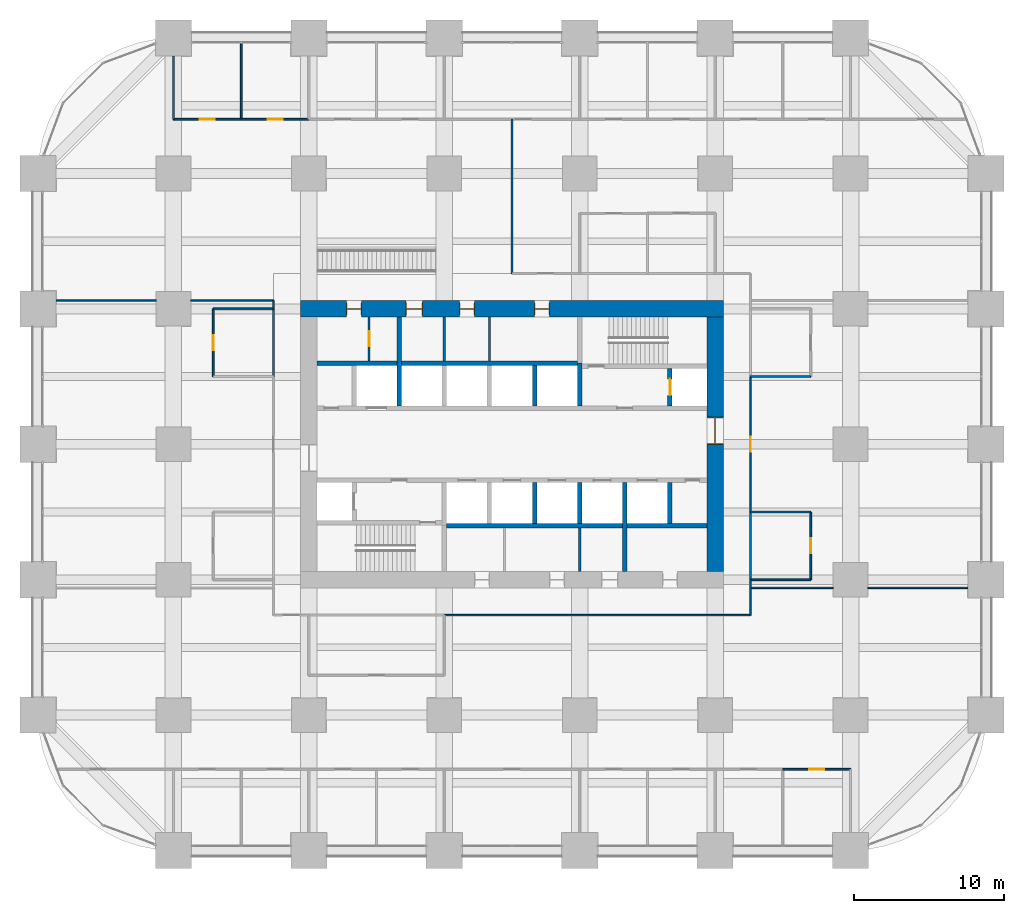
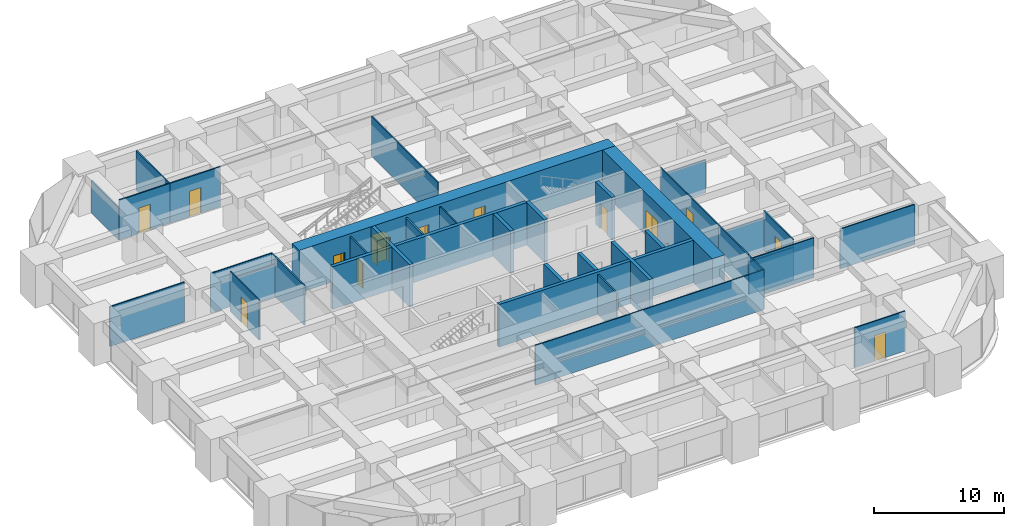
# One storey, part 41 of 45: 38 walls, 13 doors, 13 openings.
"""IFC4 building model written with IfcOpenShell, lengths in metres."""

from ifc_helpers import new_model, si_unit, direction, frame, frame_2d, origin, place, context, subcontext, project, spatial, rectangle, extrude, material, layer, layer_set, type_object, element, fill, save


model = new_model("IFC4")

# Units and contexts
model_context = context("Model", 3, precision=1e-05, world=origin(), true_north=direction((0.0, 1.0)))
body_context = subcontext(model_context, "Body", "Model", "MODEL_VIEW")
ifc_project = project(units=[si_unit("LENGTHUNIT", "METRE"), si_unit("AREAUNIT", "SQUARE_METRE"), si_unit("VOLUMEUNIT", "CUBIC_METRE"), si_unit("PLANEANGLEUNIT", "RADIAN"), si_unit("MASSUNIT", "GRAM", prefix="KILO")], contexts=[model_context])

# Site, building, storey
site_placement = place(None, origin())
site = spatial("IfcSite", under=ifc_project, at=site_placement, CompositionType="ELEMENT")
building_placement = place(site_placement, origin())
building = spatial("IfcBuilding", under=site, at=building_placement, Name="Zorevar Civic Tower", CompositionType="ELEMENT")
storey_placement = place(building_placement, frame((0.0, 0.0, 39.800048828125)))
storey = spatial("IfcBuildingStorey", under=building, at=storey_placement, Name="L09", CompositionType="ELEMENT", Elevation=39.800048828125)

# Wall, openings, doors
ifc_material_1 = material(Name="Concrete C50/60", Category="concrete")
ifc_layer_1 = layer(ifc_material_1, 1.10009765625)
ifc_layer_set_1 = layer_set([ifc_layer_1], Name="Core wall 1100")
wall_type_1 = type_object("IfcWallType", Name="Core wall 1100", PredefinedType="SHEAR", material=ifc_layer_set_1)
wall_1_placement = place(storey_placement, frame((45.550048828125, 36.0, 0.0), z_axis=(0.0, 0.0, 1.0), x_axis=(-1.0, 0.0, 0.0)))
wall_1 = element("IfcWall", 1, at=wall_1_placement, inside=storey, type_object=wall_type_1, Name="Core wall N L09", PredefinedType="SHEAR", context=body_context, shape_type="SweptSolid", body=[
    extrude(rectangle(XDim=28.10009765625, YDim=1.10009765625, at=frame_2d((14.050048828125, 0.0))), origin(), (0.0, 0.0, 1.0), 4.0),
])
opening_1_placement = place(wall_1_placement, frame((11.550048828125, 0.0, 0.0)))
opening_1 = element("IfcOpeningElement", 2, at=opening_1_placement, cuts=wall_1, Name="Opening L09.07", PredefinedType="OPENING", context=body_context, shape_type="SweptSolid", body=[
    extrude(rectangle(XDim=1.0, YDim=2.39990234375, at=frame_2d((0.5, 1.199951171875))), frame((0.0, 0.56005859375, 0.0), z_axis=(0.0, -1.0, 0.0), x_axis=(1.0, 0.0, 0.0)), (0.0, 0.0, 1.0), 1.1201171875),
])
opening_2_placement = place(wall_1_placement, frame((16.550048828125, 0.0, 0.0)))
opening_2 = element("IfcOpeningElement", 3, at=opening_2_placement, cuts=wall_1, Name="Opening L09.08", PredefinedType="OPENING", context=body_context, shape_type="SweptSolid", body=[
    extrude(rectangle(XDim=1.0, YDim=2.39990234375, at=frame_2d((0.5, 1.199951171875))), frame((0.0, 0.56005859375, 0.0), z_axis=(0.0, -1.0, 0.0), x_axis=(1.0, 0.0, 0.0)), (0.0, 0.0, 1.0), 1.1201171875),
])
opening_3_placement = place(wall_1_placement, frame((20.0, 0.0, 0.0)))
opening_3 = element("IfcOpeningElement", 4, at=opening_3_placement, cuts=wall_1, Name="Opening L09.09", PredefinedType="OPENING", context=body_context, shape_type="SweptSolid", body=[
    extrude(rectangle(XDim=1.10009765625, YDim=2.39990234375, at=frame_2d((0.550048828125, 1.199951171875))), frame((0.0, 0.56005859375, 0.0), z_axis=(0.0, -1.0, 0.0), x_axis=(1.0, 0.0, 0.0)), (0.0, 0.0, 1.0), 1.1201171875),
])
opening_4_placement = place(wall_1_placement, frame((24.050048828125, 0.0, 0.0)))
opening_4 = element("IfcOpeningElement", 5, at=opening_4_placement, cuts=wall_1, Name="Opening L09.10", PredefinedType="OPENING", context=body_context, shape_type="SweptSolid", body=[
    extrude(rectangle(XDim=1.0, YDim=2.39990234375, at=frame_2d((0.5, 1.199951171875))), frame((0.0, 0.56005859375, 0.0), z_axis=(0.0, -1.0, 0.0), x_axis=(1.0, 0.0, 0.0)), (0.0, 0.0, 1.0), 1.1201171875),
])
ifc_material_2 = material(Name="Timber door set", Category="wood")
door_type_1 = type_object("IfcDoorType", Name="Door D1 1000x2400", OperationType="SINGLE_SWING_LEFT", PredefinedType="DOOR", material=ifc_material_2)
door_1_placement = place(opening_1_placement, origin())
door_1 = element("IfcDoor", 6, at=door_1_placement, inside=storey, type_object=door_type_1, Name="Door L09 06", OperationType="SINGLE_SWING_RIGHT", OverallHeight=2.39990234375, OverallWidth=1.0, PredefinedType="DOOR", context=body_context, shape_type="SweptSolid", body=[
    extrude(rectangle(XDim=1.0, YDim=2.39990234375, at=frame_2d((0.5, 1.199951171875))), frame((0.0, 0.02490234375, 0.0), z_axis=(0.0, -1.0, 0.0), x_axis=(1.0, 0.0, 0.0)), (0.0, 0.0, 1.0), 0.050048828125),
    extrude(rectangle(XDim=0.04, YDim=2.39990234375, at=frame_2d((0.02001953125, 1.199951171875))), frame((0.0, 0.39990234375, 0.0), z_axis=(0.0, -1.0, 0.0), x_axis=(1.0, 0.0, 0.0)), (0.0, 0.0, 1.0), 0.800048828125),
    extrude(rectangle(XDim=0.04, YDim=2.39990234375, at=frame_2d((0.97998046875, 1.199951171875))), frame((0.0, 0.39990234375, 0.0), z_axis=(0.0, -1.0, 0.0), x_axis=(1.0, 0.0, 0.0)), (0.0, 0.0, 1.0), 0.800048828125),
    extrude(rectangle(XDim=1.0, YDim=0.04, at=frame_2d((0.5, 2.3798828125))), frame((0.0, 0.39990234375, 0.0), z_axis=(0.0, -1.0, 0.0), x_axis=(1.0, 0.0, 0.0)), (0.0, 0.0, 1.0), 0.800048828125),
])
fill(opening_1, door_1)
door_2_placement = place(opening_2_placement, origin())
door_2 = element("IfcDoor", 7, at=door_2_placement, inside=storey, type_object=door_type_1, Name="Door L09 07", OperationType="SINGLE_SWING_LEFT", OverallHeight=2.39990234375, OverallWidth=1.0, PredefinedType="DOOR", context=body_context, shape_type="SweptSolid", body=[
    extrude(rectangle(XDim=1.0, YDim=2.39990234375, at=frame_2d((0.5, 1.199951171875))), frame((0.0, 0.02490234375, 0.0), z_axis=(0.0, -1.0, 0.0), x_axis=(1.0, 0.0, 0.0)), (0.0, 0.0, 1.0), 0.050048828125),
    extrude(rectangle(XDim=0.04, YDim=2.39990234375, at=frame_2d((0.02001953125, 1.199951171875))), frame((0.0, 0.39990234375, 0.0), z_axis=(0.0, -1.0, 0.0), x_axis=(1.0, 0.0, 0.0)), (0.0, 0.0, 1.0), 0.800048828125),
    extrude(rectangle(XDim=0.04, YDim=2.39990234375, at=frame_2d((0.97998046875, 1.199951171875))), frame((0.0, 0.39990234375, 0.0), z_axis=(0.0, -1.0, 0.0), x_axis=(1.0, 0.0, 0.0)), (0.0, 0.0, 1.0), 0.800048828125),
    extrude(rectangle(XDim=1.0, YDim=0.04, at=frame_2d((0.5, 2.3798828125))), frame((0.0, 0.39990234375, 0.0), z_axis=(0.0, -1.0, 0.0), x_axis=(1.0, 0.0, 0.0)), (0.0, 0.0, 1.0), 0.800048828125),
])
fill(opening_2, door_2)
door_3_placement = place(opening_4_placement, origin())
door_3 = element("IfcDoor", 8, at=door_3_placement, inside=storey, type_object=door_type_1, Name="Door L09 09", OperationType="SINGLE_SWING_LEFT", OverallHeight=2.39990234375, OverallWidth=1.0, PredefinedType="DOOR", context=body_context, shape_type="SweptSolid", body=[
    extrude(rectangle(XDim=1.0, YDim=2.39990234375, at=frame_2d((0.5, 1.199951171875))), frame((0.0, 0.02490234375, 0.0), z_axis=(0.0, -1.0, 0.0), x_axis=(1.0, 0.0, 0.0)), (0.0, 0.0, 1.0), 0.050048828125),
    extrude(rectangle(XDim=0.04, YDim=2.39990234375, at=frame_2d((0.02001953125, 1.199951171875))), frame((0.0, 0.39990234375, 0.0), z_axis=(0.0, -1.0, 0.0), x_axis=(1.0, 0.0, 0.0)), (0.0, 0.0, 1.0), 0.800048828125),
    extrude(rectangle(XDim=0.04, YDim=2.39990234375, at=frame_2d((0.97998046875, 1.199951171875))), frame((0.0, 0.39990234375, 0.0), z_axis=(0.0, -1.0, 0.0), x_axis=(1.0, 0.0, 0.0)), (0.0, 0.0, 1.0), 0.800048828125),
    extrude(rectangle(XDim=1.0, YDim=0.04, at=frame_2d((0.5, 2.3798828125))), frame((0.0, 0.39990234375, 0.0), z_axis=(0.0, -1.0, 0.0), x_axis=(1.0, 0.0, 0.0)), (0.0, 0.0, 1.0), 0.800048828125),
])
fill(opening_4, door_3)
ifc_material_3 = material(Name="Timber door set", Category="wood")
door_type_2 = type_object("IfcDoorType", Name="Door D5 1100x2400", OperationType="SINGLE_SWING_LEFT", PredefinedType="DOOR", material=ifc_material_3)
door_4_placement = place(opening_3_placement, origin())
door_4 = element("IfcDoor", 9, at=door_4_placement, inside=storey, type_object=door_type_2, Name="Door L09 08", OperationType="SINGLE_SWING_LEFT", OverallHeight=2.39990234375, OverallWidth=1.10009765625, PredefinedType="DOOR", context=body_context, shape_type="SweptSolid", body=[
    extrude(rectangle(XDim=1.10009765625, YDim=2.39990234375, at=frame_2d((0.550048828125, 1.199951171875))), frame((0.0, 0.02490234375, 0.0), z_axis=(0.0, -1.0, 0.0), x_axis=(1.0, 0.0, 0.0)), (0.0, 0.0, 1.0), 0.050048828125),
    extrude(rectangle(XDim=0.04, YDim=2.39990234375, at=frame_2d((0.02001953125, 1.199951171875))), frame((0.0, 0.43994140625, 0.0), z_axis=(0.0, -1.0, 0.0), x_axis=(1.0, 0.0, 0.0)), (0.0, 0.0, 1.0), 0.880126953125),
    extrude(rectangle(XDim=0.04, YDim=2.39990234375, at=frame_2d((1.080078125, 1.199951171875))), frame((0.0, 0.43994140625, 0.0), z_axis=(0.0, -1.0, 0.0), x_axis=(1.0, 0.0, 0.0)), (0.0, 0.0, 1.0), 0.880126953125),
    extrude(rectangle(XDim=1.10009765625, YDim=0.04, at=frame_2d((0.550048828125, 2.3798828125))), frame((0.0, 0.43994140625, 0.0), z_axis=(0.0, -1.0, 0.0), x_axis=(1.0, 0.0, 0.0)), (0.0, 0.0, 1.0), 0.880126953125),
])
fill(opening_3, door_4)

# Wall, opening, door
wall_2_placement = place(storey_placement, frame((45.0, 18.550048828125, 0.0), z_axis=(0.0, 0.0, 1.0), x_axis=(0.0, 1.0, 0.0)))
wall_2 = element("IfcWall", 10, at=wall_2_placement, inside=storey, type_object=wall_type_1, Name="Core wall E L09", PredefinedType="SHEAR", context=body_context, shape_type="SweptSolid", body=[
    extrude(rectangle(XDim=16.89990234375, YDim=1.10009765625, at=frame_2d((8.449951171875, 0.0))), origin(), (0.0, 0.0, 1.0), 4.0),
])
opening_5_placement = place(wall_2_placement, frame((8.449951171875, 0.0, 0.0)))
opening_5 = element("IfcOpeningElement", 11, at=opening_5_placement, cuts=wall_2, Name="Opening L09.02", PredefinedType="OPENING", context=body_context, shape_type="SweptSolid", body=[
    extrude(rectangle(XDim=1.800048828125, YDim=2.39990234375, at=frame_2d((0.89990234375, 1.199951171875))), frame((0.0, 0.56005859375, 0.0), z_axis=(0.0, -1.0, 0.0), x_axis=(1.0, 0.0, 0.0)), (0.0, 0.0, 1.0), 1.1201171875),
])
ifc_material_4 = material(Name="Steel door set", Category="steel")
door_type_3 = type_object("IfcDoorType", Name="Fire door FD2 1800x2400", OperationType="DOUBLE_DOOR_DOUBLE_SWING", PredefinedType="DOOR", material=ifc_material_4)
door_5_placement = place(opening_5_placement, origin())
door_5 = element("IfcDoor", 12, at=door_5_placement, inside=storey, type_object=door_type_3, Name="Door L09 01", OperationType="DOUBLE_DOOR_DOUBLE_SWING", OverallHeight=2.39990234375, OverallWidth=1.800048828125, PredefinedType="DOOR", context=body_context, shape_type="SweptSolid", body=[
    extrude(rectangle(XDim=1.800048828125, YDim=2.39990234375, at=frame_2d((0.89990234375, 1.199951171875))), frame((0.0, 0.030029296875, 0.0), z_axis=(0.0, -1.0, 0.0), x_axis=(1.0, 0.0, 0.0)), (0.0, 0.0, 1.0), 0.06005859375),
    extrude(rectangle(XDim=0.04, YDim=2.39990234375, at=frame_2d((0.02001953125, 1.199951171875))), frame((0.0, 0.5498046875, 0.0), z_axis=(0.0, -1.0, 0.0), x_axis=(1.0, 0.0, 0.0)), (0.0, 0.0, 1.0), 1.099609375),
    extrude(rectangle(XDim=0.04, YDim=2.39990234375, at=frame_2d((1.780029296875, 1.199951171875))), frame((0.0, 0.5498046875, 0.0), z_axis=(0.0, -1.0, 0.0), x_axis=(1.0, 0.0, 0.0)), (0.0, 0.0, 1.0), 1.099609375),
    extrude(rectangle(XDim=1.800048828125, YDim=0.04, at=frame_2d((0.89990234375, 2.3798828125))), frame((0.0, 0.5498046875, 0.0), z_axis=(0.0, -1.0, 0.0), x_axis=(1.0, 0.0, 0.0)), (0.0, 0.0, 1.0), 1.099609375),
])
fill(opening_5, door_5)

# Walls
ifc_material_5 = material(Name="Laminated glass in black aluminium frame", Category="aluminium")
ifc_layer_2 = layer(ifc_material_5, 0.10009765625)
ifc_layer_set_2 = layer_set([ifc_layer_2], Name="Glazed partition 100")
wall_type_2 = type_object("IfcWallType", Name="Glazed partition 100", PredefinedType="PARTITIONING", material=ifc_layer_set_2)
wall_3_placement = place(storey_placement, frame((27.0, 15.64990234375, 0.0), z_axis=(0.0, 0.0, 1.0), x_axis=(1.0, 0.0, 0.0)))
element("IfcWall", 13, at=wall_3_placement, inside=storey, type_object=wall_type_2, Name="Glazed partition 100 L09", PredefinedType="PARTITIONING", context=body_context, shape_type="SweptSolid", body=[
    extrude(rectangle(XDim=20.35009765625, YDim=0.10009765625, at=frame_2d((10.175048828125, 0.0))), origin(), (0.0, 0.0, 1.0), 3.75),
])
wall_4_placement = place(storey_placement, frame((47.35009765625, 17.449951171875, 0.0), z_axis=(0.0, 0.0, 1.0), x_axis=(1.0, 0.0, 0.0)))
element("IfcWall", 14, at=wall_4_placement, inside=storey, type_object=wall_type_2, Name="Glazed partition 100 L09", PredefinedType="PARTITIONING", context=body_context, shape_type="SweptSolid", body=[
    extrude(rectangle(XDim=5.5, YDim=0.10009765625, at=frame_2d((2.75, 0.0))), origin(), (0.0, 0.0, 1.0), 3.75),
])
for number, where, z_axis, x_axis, name in (
    (15, (55.14990234375, 17.449951171875, 0.0), (0.0, 0.0, 1.0), (1.0, 0.0, 0.0), "Glazed partition 100 L09"),
    (16, (1.199951171875, 36.550048828125, 0.0), (0.0, 0.0, 1.0), (1.0, 0.0, 0.0), "Glazed partition 100 L09"),
):
    element("IfcWall", number, at=place(storey_placement, frame(where, z_axis=z_axis, x_axis=x_axis)), inside=storey, type_object=wall_type_2, Name=name, PredefinedType="PARTITIONING", context=body_context, shape_type="SweptSolid", body=[
        extrude(rectangle(XDim=6.650146484375, YDim=0.10009765625, at=frame_2d((3.3251953125, 0.0))), origin(), (0.0, 0.0, 1.0), 3.75),
    ])
wall_5_placement = place(storey_placement, frame((10.14990234375, 36.550048828125, 0.0), z_axis=(0.0, 0.0, 1.0), x_axis=(1.0, 0.0, 0.0)))
element("IfcWall", 17, at=wall_5_placement, inside=storey, type_object=wall_type_2, Name="Glazed partition 100 L09", PredefinedType="PARTITIONING", context=body_context, shape_type="SweptSolid", body=[
    extrude(rectangle(XDim=5.5, YDim=0.10009765625, at=frame_2d((2.75, 0.0))), origin(), (0.0, 0.0, 1.0), 3.75),
])
wall_6_placement = place(storey_placement, frame((15.64990234375, 36.0, 0.0), z_axis=(0.0, 0.0, 1.0), x_axis=(0.0, 1.0, 0.0)))
element("IfcWall", 18, at=wall_6_placement, inside=storey, type_object=wall_type_2, Name="Glazed partition 100 L09", PredefinedType="PARTITIONING", context=body_context, shape_type="SweptSolid", body=[
    extrude(rectangle(XDim=0.550048828125, YDim=0.10009765625, at=frame_2d((0.27490234375, 0.0))), origin(), (0.0, 0.0, 1.0), 3.75),
])
wall_7_placement = place(storey_placement, frame((31.5, 38.35009765625, 0.0), z_axis=(0.0, 0.0, 1.0), x_axis=(0.0, 1.0, 0.0)))
element("IfcWall", 19, at=wall_7_placement, inside=storey, type_object=wall_type_2, Name="Glazed partition 100 L09", PredefinedType="PARTITIONING", context=body_context, shape_type="SweptSolid", body=[
    extrude(rectangle(XDim=10.260009765625, YDim=0.10009765625, at=frame_2d((5.1298828125, 0.0))), origin(), (0.0, 0.0, 1.0), 3.75),
])
wall_8_placement = place(storey_placement, frame((47.35009765625, 15.64990234375, 0.0), z_axis=(0.0, 0.0, 1.0), x_axis=(0.0, 1.0, 0.0)))
element("IfcWall", 20, at=wall_8_placement, inside=storey, type_object=wall_type_2, Name="Glazed partition 100 L09", PredefinedType="PARTITIONING", context=body_context, shape_type="SweptSolid", body=[
    extrude(rectangle(XDim=2.35009765625, YDim=0.10009765625, at=frame_2d((1.175048828125, 0.0))), origin(), (0.0, 0.0, 1.0), 3.75),
])

# Wall, opening, door
wall_9_placement = place(storey_placement, frame((47.35009765625, 22.5, 0.0), z_axis=(0.0, 0.0, 1.0), x_axis=(0.0, 1.0, 0.0)))
wall_9 = element("IfcWall", 21, at=wall_9_placement, inside=storey, type_object=wall_type_2, Name="Glazed partition 100 L09", PredefinedType="PARTITIONING", context=body_context, shape_type="SweptSolid", body=[
    extrude(rectangle(XDim=9.0, YDim=0.10009765625, at=frame_2d((4.5, 0.0))), origin(), (0.0, 0.0, 1.0), 3.75),
])
opening_6_placement = place(wall_9_placement, frame((4.0, 0.0, 0.0)))
opening_6 = element("IfcOpeningElement", 22, at=opening_6_placement, cuts=wall_9, Name="Opening L09.45", PredefinedType="OPENING", context=body_context, shape_type="SweptSolid", body=[
    extrude(rectangle(XDim=1.0, YDim=2.39990234375, at=frame_2d((0.5, 1.199951171875))), frame((0.0, 0.06005859375, 0.0), z_axis=(0.0, -1.0, 0.0), x_axis=(1.0, 0.0, 0.0)), (0.0, 0.0, 1.0), 0.1201171875),
])
ifc_material_6 = material(Name="Timber door set", Category="wood")
door_type_4 = type_object("IfcDoorType", Name="Glazed door GD1 1000x2400", OperationType="SINGLE_SWING_LEFT", PredefinedType="DOOR", material=ifc_material_6)
door_6_placement = place(opening_6_placement, origin())
door_6 = element("IfcDoor", 23, at=door_6_placement, inside=storey, type_object=door_type_4, Name="Door L09 D1", OperationType="SINGLE_SWING_RIGHT", OverallHeight=2.39990234375, OverallWidth=1.0, PredefinedType="DOOR", context=body_context, shape_type="SweptSolid", body=[
    extrude(rectangle(XDim=1.0, YDim=2.39990234375, at=frame_2d((0.5, 1.199951171875))), frame((0.0, 0.02001953125, 0.0), z_axis=(0.0, -1.0, 0.0), x_axis=(1.0, 0.0, 0.0)), (0.0, 0.0, 1.0), 0.0400390625),
])
fill(opening_6, door_6)

ifc_material_7 = material(Name="Concrete C40/50", Category="concrete")
ifc_layer_3 = layer(ifc_material_7, 0.300048828125)
ifc_layer_set_3 = layer_set([ifc_layer_3], Name="Inner core wall 300")
wall_type_3 = type_object("IfcWallType", Name="Inner core wall 300", PredefinedType="SHEAR", material=ifc_layer_set_3)
wall_10_placement = place(storey_placement, frame((42.0, 29.550048828125, 0.0), z_axis=(0.0, 0.0, 1.0), x_axis=(0.0, 1.0, 0.0)))
wall_10 = element("IfcWall", 24, at=wall_10_placement, inside=storey, type_object=wall_type_3, Name="Inner core wall N02 L09", PredefinedType="SHEAR", context=body_context, shape_type="SweptSolid", body=[
    extrude(rectangle(XDim=2.5, YDim=0.300048828125, at=frame_2d((1.25, 0.0))), origin(), (0.0, 0.0, 1.0), 4.0),
])
opening_7_placement = place(wall_10_placement, frame((0.699951171875, 0.0, 0.0)))
opening_7 = element("IfcOpeningElement", 25, at=opening_7_placement, cuts=wall_10, Name="Opening L09.FL2", PredefinedType="OPENING", context=body_context, shape_type="SweptSolid", body=[
    extrude(rectangle(XDim=1.10009765625, YDim=2.39990234375, at=frame_2d((0.550048828125, 1.199951171875))), frame((0.0, 0.159912109375, 0.0), z_axis=(0.0, -1.0, 0.0), x_axis=(1.0, 0.0, 0.0)), (0.0, 0.0, 1.0), 0.320068359375),
])
ifc_material_8 = material(Name="Steel door set", Category="steel")
door_type_5 = type_object("IfcDoorType", Name="Firefighting lift landing door LD3 1100x2400", OperationType="DOUBLE_DOOR_SLIDING", PredefinedType="DOOR", material=ifc_material_8)
door_7_placement = place(opening_7_placement, origin())
door_7 = element("IfcDoor", 26, at=door_7_placement, inside=storey, type_object=door_type_5, Name="Landing door FL2 L09", OperationType="DOUBLE_DOOR_SLIDING", OverallHeight=2.39990234375, OverallWidth=1.10009765625, PredefinedType="DOOR", context=body_context, shape_type="SweptSolid", body=[
    extrude(rectangle(XDim=1.10009765625, YDim=2.39990234375, at=frame_2d((0.550048828125, 1.199951171875))), frame((0.0, 0.030029296875, 0.0), z_axis=(0.0, -1.0, 0.0), x_axis=(1.0, 0.0, 0.0)), (0.0, 0.0, 1.0), 0.06005859375),
])
fill(opening_7, door_7)

# Walls
for number, where, z_axis, x_axis, name in (
    (27, (27.14990234375, 21.60009765625, 0.0), (0.0, 0.0, 1.0), (1.0, 0.0, 0.0), "Inner core wall S04 L09"),
    (28, (18.550048828125, 32.39990234375, 0.0), (0.0, 0.0, 1.0), (1.0, 0.0, 0.0), "Inner core wall N04 L09"),
):
    element("IfcWall", number, at=place(storey_placement, frame(where, z_axis=z_axis, x_axis=x_axis)), inside=storey, type_object=wall_type_3, Name=name, PredefinedType="SHEAR", context=body_context, shape_type="SweptSolid", body=[
        extrude(rectangle(XDim=17.300048828125, YDim=0.300048828125, at=frame_2d((8.64990234375, 0.0))), origin(), (0.0, 0.0, 1.0), 4.0),
    ])
for number, where, z_axis, x_axis, name in (
    (29, (33.0, 29.550048828125, 0.0), (0.0, 0.0, 1.0), (0.0, 1.0, 0.0), "Inner core wall N05 L09"),
    (30, (33.0, 21.75, 0.0), (0.0, 0.0, 1.0), (0.0, 1.0, 0.0), "Inner core wall S06 L09"),
    (31, (36.0, 21.75, 0.0), (0.0, 0.0, 1.0), (0.0, 1.0, 0.0), "Inner core wall S07 L09"),
):
    element("IfcWall", number, at=place(storey_placement, frame(where, z_axis=z_axis, x_axis=x_axis)), inside=storey, type_object=wall_type_3, Name=name, PredefinedType="SHEAR", context=body_context, shape_type="SweptSolid", body=[
        extrude(rectangle(XDim=2.699951171875, YDim=0.300048828125, at=frame_2d((1.35009765625, 0.0))), origin(), (0.0, 0.0, 1.0), 4.0),
    ])
for number, where, z_axis, x_axis, name in (
    (32, (39.0, 18.550048828125, 0.0), (0.0, 0.0, 1.0), (0.0, 1.0, 0.0), "Inner core wall S08 L09"),
    (33, (24.0, 29.550048828125, 0.0), (0.0, 0.0, 1.0), (0.0, 1.0, 0.0), "Inner core wall N08 L09"),
):
    element("IfcWall", number, at=place(storey_placement, frame(where, z_axis=z_axis, x_axis=x_axis)), inside=storey, type_object=wall_type_3, Name=name, PredefinedType="SHEAR", context=body_context, shape_type="SweptSolid", body=[
        extrude(rectangle(XDim=5.89990234375, YDim=0.300048828125, at=frame_2d((2.949951171875, 0.0))), origin(), (0.0, 0.0, 1.0), 4.0),
    ])
wall_11_placement = place(storey_placement, frame((42.0, 21.75, 0.0), z_axis=(0.0, 0.0, 1.0), x_axis=(0.0, 1.0, 0.0)))
element("IfcWall", 34, at=wall_11_placement, inside=storey, type_object=wall_type_3, Name="Inner core wall S09 L09", PredefinedType="SHEAR", context=body_context, shape_type="SweptSolid", body=[
    extrude(rectangle(XDim=2.699951171875, YDim=0.300048828125, at=frame_2d((1.35009765625, 0.0))), origin(), (0.0, 0.0, 1.0), 4.0),
])
wall_12_placement = place(storey_placement, frame((36.0, 29.550048828125, 0.0), z_axis=(0.0, 0.0, 1.0), x_axis=(0.0, 1.0, 0.0)))
element("IfcWall", 35, at=wall_12_placement, inside=storey, type_object=wall_type_3, Name="Inner core wall N10 L09", PredefinedType="SHEAR", context=body_context, shape_type="SweptSolid", body=[
    extrude(rectangle(XDim=2.849853515625, YDim=0.300048828125, at=frame_2d((1.4248046875, 0.0))), origin(), (0.0, 0.0, 1.0), 4.0),
])

# Wall, opening, door
ifc_material_9 = material(Name="Gypsum board on steel studs", Category="steel")
ifc_layer_4 = layer(ifc_material_9, 0.1201171875)
ifc_layer_set_4 = layer_set([ifc_layer_4], Name="Partition 120")
wall_type_4 = type_object("IfcWallType", Name="Partition 120", PredefinedType="PARTITIONING", material=ifc_layer_set_4)
wall_13_placement = place(storey_placement, frame((49.5, 5.39990234375, 0.0), z_axis=(0.0, 0.0, 1.0), x_axis=(1.0, 0.0, 0.0)))
wall_13 = element("IfcWall", 36, at=wall_13_placement, inside=storey, type_object=wall_type_4, Name="Partition 120 L09", PredefinedType="PARTITIONING", context=body_context, shape_type="SweptSolid", body=[
    extrude(rectangle(XDim=4.5, YDim=0.1201171875, at=frame_2d((2.25, 0.0))), origin(), (0.0, 0.0, 1.0), 3.75),
])
opening_8_placement = place(wall_13_placement, frame((1.75, 0.0, 0.0)))
opening_8 = element("IfcOpeningElement", 37, at=opening_8_placement, cuts=wall_13, Name="Opening L09.25", PredefinedType="OPENING", context=body_context, shape_type="SweptSolid", body=[
    extrude(rectangle(XDim=1.0, YDim=2.39990234375, at=frame_2d((0.5, 1.199951171875))), frame((0.0, 0.070068359375, 0.0), z_axis=(0.0, -1.0, 0.0), x_axis=(1.0, 0.0, 0.0)), (0.0, 0.0, 1.0), 0.14013671875),
])
door_8_placement = place(opening_8_placement, origin())
door_8 = element("IfcDoor", 38, at=door_8_placement, inside=storey, type_object=door_type_1, Name="Door L09 D1", OperationType="SINGLE_SWING_LEFT", OverallHeight=2.39990234375, OverallWidth=1.0, PredefinedType="DOOR", context=body_context, shape_type="SweptSolid", body=[
    extrude(rectangle(XDim=1.0, YDim=2.39990234375, at=frame_2d((0.5, 1.199951171875))), frame((0.0, 0.02490234375, 0.0), z_axis=(0.0, -1.0, 0.0), x_axis=(1.0, 0.0, 0.0)), (0.0, 0.0, 1.0), 0.050048828125),
])
fill(opening_8, door_8)

# Walls
wall_14_placement = place(storey_placement, frame((47.35009765625, 18.0, 0.0), z_axis=(0.0, 0.0, 1.0), x_axis=(1.0, 0.0, 0.0)))
element("IfcWall", 39, at=wall_14_placement, inside=storey, type_object=wall_type_4, Name="Partition 120 L09", PredefinedType="PARTITIONING", context=body_context, shape_type="SweptSolid", body=[
    extrude(rectangle(XDim=4.0, YDim=0.1201171875, at=frame_2d((2.0, 0.0))), origin(), (0.0, 0.0, 1.0), 3.050048828125),
])
for number, where, z_axis, x_axis, name in (
    (40, (47.35009765625, 22.5, 0.0), (0.0, 0.0, 1.0), (1.0, 0.0, 0.0), "Partition 120 L09"),
    (41, (47.35009765625, 31.5, 0.0), (0.0, 0.0, 1.0), (1.0, 0.0, 0.0), "Partition 120 L09"),
):
    element("IfcWall", number, at=place(storey_placement, frame(where, z_axis=z_axis, x_axis=x_axis)), inside=storey, type_object=wall_type_4, Name=name, PredefinedType="PARTITIONING", context=body_context, shape_type="SweptSolid", body=[
        extrude(rectangle(XDim=4.0, YDim=0.1201171875, at=frame_2d((2.0, 0.0))), origin(), (0.0, 0.0, 1.0), 3.099853515625),
    ])
wall_15_placement = place(storey_placement, frame((11.64990234375, 36.0, 0.0), z_axis=(0.0, 0.0, 1.0), x_axis=(1.0, 0.0, 0.0)))
element("IfcWall", 42, at=wall_15_placement, inside=storey, type_object=wall_type_4, Name="Partition 120 L09", PredefinedType="PARTITIONING", context=body_context, shape_type="SweptSolid", body=[
    extrude(rectangle(XDim=4.0, YDim=0.1201171875, at=frame_2d((2.0, 0.0))), origin(), (0.0, 0.0, 1.0), 3.050048828125),
])

# Wall, opening, door
wall_16_placement = place(storey_placement, frame((9.0, 48.60009765625, 0.0), z_axis=(0.0, 0.0, 1.0), x_axis=(1.0, 0.0, 0.0)))
wall_16 = element("IfcWall", 43, at=wall_16_placement, inside=storey, type_object=wall_type_4, Name="Partition 120 L09", PredefinedType="PARTITIONING", context=body_context, shape_type="SweptSolid", body=[
    extrude(rectangle(XDim=4.5, YDim=0.1201171875, at=frame_2d((2.25, 0.0))), origin(), (0.0, 0.0, 1.0), 3.75),
])
opening_9_placement = place(wall_16_placement, frame((1.75, 0.0, 0.0)))
opening_9 = element("IfcOpeningElement", 44, at=opening_9_placement, cuts=wall_16, Name="Opening L09.32", PredefinedType="OPENING", context=body_context, shape_type="SweptSolid", body=[
    extrude(rectangle(XDim=1.0, YDim=2.39990234375, at=frame_2d((0.5, 1.199951171875))), frame((0.0, 0.070068359375, 0.0), z_axis=(0.0, -1.0, 0.0), x_axis=(1.0, 0.0, 0.0)), (0.0, 0.0, 1.0), 0.14013671875),
])
door_9_placement = place(opening_9_placement, origin())
door_9 = element("IfcDoor", 45, at=door_9_placement, inside=storey, type_object=door_type_1, Name="Door L09 D1", OperationType="SINGLE_SWING_LEFT", OverallHeight=2.39990234375, OverallWidth=1.0, PredefinedType="DOOR", context=body_context, shape_type="SweptSolid", body=[
    extrude(rectangle(XDim=1.0, YDim=2.39990234375, at=frame_2d((0.5, 1.199951171875))), frame((0.0, 0.02490234375, 0.0), z_axis=(0.0, -1.0, 0.0), x_axis=(1.0, 0.0, 0.0)), (0.0, 0.0, 1.0), 0.050048828125),
])
fill(opening_9, door_9)

wall_17_placement = place(storey_placement, frame((13.5, 48.60009765625, 0.0), z_axis=(0.0, 0.0, 1.0), x_axis=(1.0, 0.0, 0.0)))
wall_17 = element("IfcWall", 46, at=wall_17_placement, inside=storey, type_object=wall_type_4, Name="Partition 120 L09", PredefinedType="PARTITIONING", context=body_context, shape_type="SweptSolid", body=[
    extrude(rectangle(XDim=4.5, YDim=0.1201171875, at=frame_2d((2.25, 0.0))), origin(), (0.0, 0.0, 1.0), 3.75),
])
opening_10_placement = place(wall_17_placement, frame((1.75, 0.0, 0.0)))
opening_10 = element("IfcOpeningElement", 47, at=opening_10_placement, cuts=wall_17, Name="Opening L09.33", PredefinedType="OPENING", context=body_context, shape_type="SweptSolid", body=[
    extrude(rectangle(XDim=1.0, YDim=2.39990234375, at=frame_2d((0.5, 1.199951171875))), frame((0.0, 0.070068359375, 0.0), z_axis=(0.0, -1.0, 0.0), x_axis=(1.0, 0.0, 0.0)), (0.0, 0.0, 1.0), 0.14013671875),
])
door_10_placement = place(opening_10_placement, origin())
door_10 = element("IfcDoor", 48, at=door_10_placement, inside=storey, type_object=door_type_1, Name="Door L09 D1", OperationType="SINGLE_SWING_LEFT", OverallHeight=2.39990234375, OverallWidth=1.0, PredefinedType="DOOR", context=body_context, shape_type="SweptSolid", body=[
    extrude(rectangle(XDim=1.0, YDim=2.39990234375, at=frame_2d((0.5, 1.199951171875))), frame((0.0, 0.02490234375, 0.0), z_axis=(0.0, -1.0, 0.0), x_axis=(1.0, 0.0, 0.0)), (0.0, 0.0, 1.0), 0.050048828125),
])
fill(opening_10, door_10)

# Wall
wall_18_placement = place(storey_placement, frame((9.0, 48.60009765625, 0.0), z_axis=(0.0, 0.0, 1.0), x_axis=(0.0, 1.0, 0.0)))
element("IfcWall", 49, at=wall_18_placement, inside=storey, type_object=wall_type_4, Name="Partition 120 L09", PredefinedType="PARTITIONING", context=body_context, shape_type="SweptSolid", body=[
    extrude(rectangle(XDim=4.199951171875, YDim=0.1201171875, at=frame_2d((2.10009765625, 0.0))), origin(), (0.0, 0.0, 1.0), 3.050048828125),
])

# Wall, opening, door
wall_19_placement = place(storey_placement, frame((11.64990234375, 31.5, 0.0), z_axis=(0.0, 0.0, 1.0), x_axis=(0.0, 1.0, 0.0)))
wall_19 = element("IfcWall", 50, at=wall_19_placement, inside=storey, type_object=wall_type_4, Name="Partition 120 L09", PredefinedType="PARTITIONING", context=body_context, shape_type="SweptSolid", body=[
    extrude(rectangle(XDim=4.5, YDim=0.1201171875, at=frame_2d((2.25, 0.0))), origin(), (0.0, 0.0, 1.0), 3.75),
])
opening_11_placement = place(wall_19_placement, frame((1.75, 0.0, 0.0)))
opening_11 = element("IfcOpeningElement", 51, at=opening_11_placement, cuts=wall_19, Name="Opening L09.43", PredefinedType="OPENING", context=body_context, shape_type="SweptSolid", body=[
    extrude(rectangle(XDim=1.0, YDim=2.39990234375, at=frame_2d((0.5, 1.199951171875))), frame((0.0, 0.070068359375, 0.0), z_axis=(0.0, -1.0, 0.0), x_axis=(1.0, 0.0, 0.0)), (0.0, 0.0, 1.0), 0.14013671875),
])
door_11_placement = place(opening_11_placement, origin())
door_11 = element("IfcDoor", 52, at=door_11_placement, inside=storey, type_object=door_type_1, Name="Door L09 D1", OperationType="SINGLE_SWING_LEFT", OverallHeight=2.39990234375, OverallWidth=1.0, PredefinedType="DOOR", context=body_context, shape_type="SweptSolid", body=[
    extrude(rectangle(XDim=1.0, YDim=2.39990234375, at=frame_2d((0.5, 1.199951171875))), frame((0.0, 0.02490234375, 0.0), z_axis=(0.0, -1.0, 0.0), x_axis=(1.0, 0.0, 0.0)), (0.0, 0.0, 1.0), 0.050048828125),
])
fill(opening_11, door_11)

# Walls
wall_20_placement = place(storey_placement, frame((13.5, 48.60009765625, 0.0), z_axis=(0.0, 0.0, 1.0), x_axis=(0.0, 1.0, 0.0)))
element("IfcWall", 53, at=wall_20_placement, inside=storey, type_object=wall_type_4, Name="Partition 120 L09", PredefinedType="PARTITIONING", context=body_context, shape_type="SweptSolid", body=[
    extrude(rectangle(XDim=5.08984375, YDim=0.1201171875, at=frame_2d((2.544921875, 0.0))), origin(), (0.0, 0.0, 1.0), 3.75),
])
for number, where, z_axis, x_axis, name in (
    (54, (15.64990234375, 31.5, 0.0), (0.0, 0.0, 1.0), (0.0, 1.0, 0.0), "Partition 120 L09"),
    (55, (47.35009765625, 18.0, 0.0), (0.0, 0.0, 1.0), (0.0, 1.0, 0.0), "Partition 120 L09"),
):
    element("IfcWall", number, at=place(storey_placement, frame(where, z_axis=z_axis, x_axis=x_axis)), inside=storey, type_object=wall_type_4, Name=name, PredefinedType="PARTITIONING", context=body_context, shape_type="SweptSolid", body=[
        extrude(rectangle(XDim=4.5, YDim=0.1201171875, at=frame_2d((2.25, 0.0))), origin(), (0.0, 0.0, 1.0), 3.75),
    ])

# Wall, opening, door
wall_21_placement = place(storey_placement, frame((51.35009765625, 18.0, 0.0), z_axis=(0.0, 0.0, 1.0), x_axis=(0.0, 1.0, 0.0)))
wall_21 = element("IfcWall", 56, at=wall_21_placement, inside=storey, type_object=wall_type_4, Name="Partition 120 L09", PredefinedType="PARTITIONING", context=body_context, shape_type="SweptSolid", body=[
    extrude(rectangle(XDim=4.5, YDim=0.1201171875, at=frame_2d((2.25, 0.0))), origin(), (0.0, 0.0, 1.0), 3.75),
])
opening_12_placement = place(wall_21_placement, frame((1.75, 0.0, 0.0)))
opening_12 = element("IfcOpeningElement", 57, at=opening_12_placement, cuts=wall_21, Name="Opening L09.47", PredefinedType="OPENING", context=body_context, shape_type="SweptSolid", body=[
    extrude(rectangle(XDim=1.0, YDim=2.39990234375, at=frame_2d((0.5, 1.199951171875))), frame((0.0, 0.070068359375, 0.0), z_axis=(0.0, -1.0, 0.0), x_axis=(1.0, 0.0, 0.0)), (0.0, 0.0, 1.0), 0.14013671875),
])
door_12_placement = place(opening_12_placement, origin())
door_12 = element("IfcDoor", 58, at=door_12_placement, inside=storey, type_object=door_type_1, Name="Door L09 D1", OperationType="SINGLE_SWING_LEFT", OverallHeight=2.39990234375, OverallWidth=1.0, PredefinedType="DOOR", context=body_context, shape_type="SweptSolid", body=[
    extrude(rectangle(XDim=1.0, YDim=2.39990234375, at=frame_2d((0.5, 1.199951171875))), frame((0.0, 0.02490234375, 0.0), z_axis=(0.0, -1.0, 0.0), x_axis=(1.0, 0.0, 0.0)), (0.0, 0.0, 1.0), 0.050048828125),
])
fill(opening_12, door_12)

# Wall
wall_22_placement = place(storey_placement, frame((30.0, 32.550048828125, 0.0), z_axis=(0.0, 0.0, 1.0), x_axis=(0.0, 1.0, 0.0)))
element("IfcWall", 59, at=wall_22_placement, inside=storey, type_object=wall_type_4, Name="Partition L09", PredefinedType="PARTITIONING", context=body_context, shape_type="SweptSolid", body=[
    extrude(rectangle(XDim=2.89990234375, YDim=0.1201171875, at=frame_2d((1.449951171875, 0.0))), origin(), (0.0, 0.0, 1.0), 3.75),
])

# Wall, opening, door
wall_23_placement = place(storey_placement, frame((22.0, 32.550048828125, 0.0), z_axis=(0.0, 0.0, 1.0), x_axis=(0.0, 1.0, 0.0)))
wall_23 = element("IfcWall", 60, at=wall_23_placement, inside=storey, type_object=wall_type_4, Name="Partition L09", PredefinedType="PARTITIONING", context=body_context, shape_type="SweptSolid", body=[
    extrude(rectangle(XDim=2.89990234375, YDim=0.1201171875, at=frame_2d((1.449951171875, 0.0))), origin(), (0.0, 0.0, 1.0), 3.75),
])
opening_13_placement = place(wall_23_placement, frame((0.949951171875, 0.0, 0.0)))
opening_13 = element("IfcOpeningElement", 61, at=opening_13_placement, cuts=wall_23, Name="Opening L09.48", PredefinedType="OPENING", context=body_context, shape_type="SweptSolid", body=[
    extrude(rectangle(XDim=1.0, YDim=2.39990234375, at=frame_2d((0.5, 1.199951171875))), frame((0.0, 0.070068359375, 0.0), z_axis=(0.0, -1.0, 0.0), x_axis=(1.0, 0.0, 0.0)), (0.0, 0.0, 1.0), 0.14013671875),
])
ifc_material_10 = material(Name="Steel door set", Category="steel")
door_type_6 = type_object("IfcDoorType", Name="Fire door FD1 1000x2400", OperationType="SINGLE_SWING_LEFT", PredefinedType="DOOR", material=ifc_material_10)
door_13_placement = place(opening_13_placement, origin())
door_13 = element("IfcDoor", 62, at=door_13_placement, inside=storey, type_object=door_type_6, Name="Door L09 EN", OperationType="SINGLE_SWING_RIGHT", OverallHeight=2.39990234375, OverallWidth=1.0, PredefinedType="DOOR", context=body_context, shape_type="SweptSolid", body=[
    extrude(rectangle(XDim=1.0, YDim=2.39990234375, at=frame_2d((0.5, 1.199951171875))), frame((0.0, 0.030029296875, 0.0), z_axis=(0.0, -1.0, 0.0), x_axis=(1.0, 0.0, 0.0)), (0.0, 0.0, 1.0), 0.06005859375),
])
fill(opening_13, door_13)

# Walls
ifc_material_11 = material(Name="Gypsum board on steel studs, moisture resistant", Category="steel")
ifc_layer_5 = layer(ifc_material_11, 0.14990234375)
ifc_layer_set_5 = layer_set([ifc_layer_5], Name="WC partition 150")
wall_type_5 = type_object("IfcWallType", Name="WC partition 150", PredefinedType="PARTITIONING", material=ifc_layer_set_5)
for number, where, z_axis, x_axis, name in (
    (63, (36.0, 18.550048828125, 0.0), (0.0, 0.0, 1.0), (0.0, 1.0, 0.0), "WC partition L09"),
    (64, (27.0, 32.550048828125, 0.0), (0.0, 0.0, 1.0), (0.0, 1.0, 0.0), "WC partition L09"),
):
    element("IfcWall", number, at=place(storey_placement, frame(where, z_axis=z_axis, x_axis=x_axis)), inside=storey, type_object=wall_type_5, Name=name, PredefinedType="PARTITIONING", context=body_context, shape_type="SweptSolid", body=[
        extrude(rectangle(XDim=2.89990234375, YDim=0.14990234375, at=frame_2d((1.449951171875, 0.0))), origin(), (0.0, 0.0, 1.0), 3.75),
    ])

save(model, "model.ifc")
